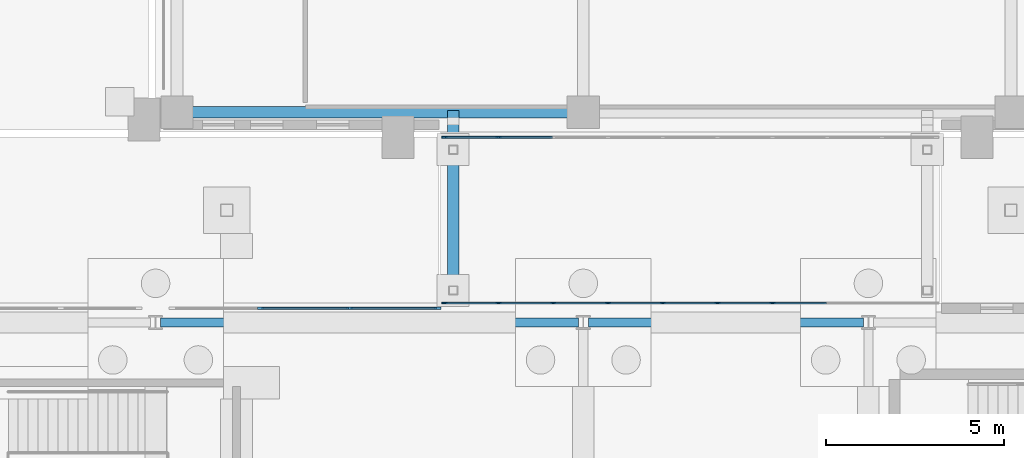
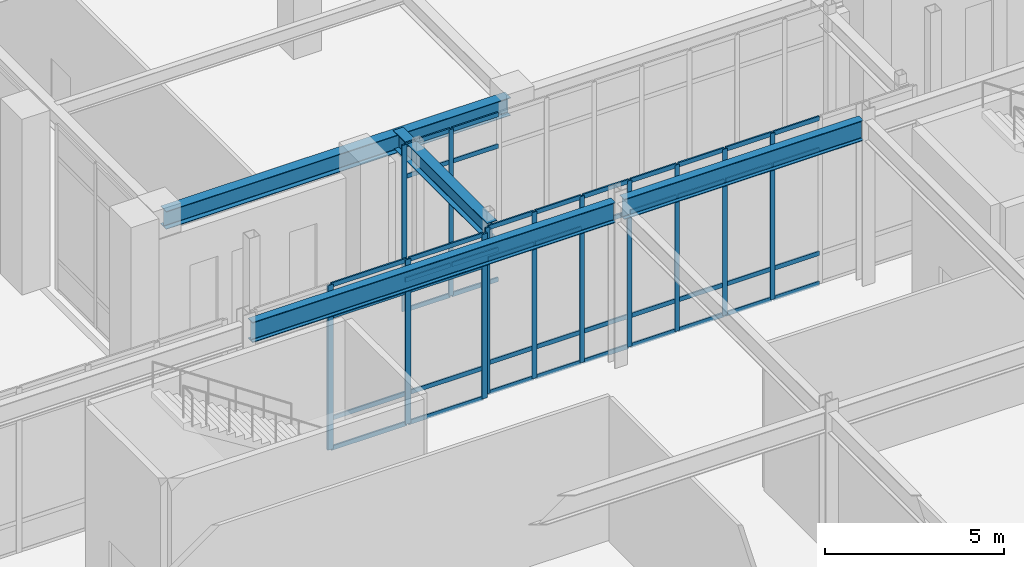
# One storey, part 71 of 143: 56 members, 4 beams, 3 elements without a shape of their own.
"""IFC4 building model written with IfcOpenShell, lengths in metres."""

from ifc_helpers import new_model, si_unit, derived_unit, direction, frame, origin, origin_2d, place, context, subcontext, project, spatial, rectangle, i_section, extrude, material, layer, layer_set, material_profile, profile_set, type_object, element, aggregate, save


model = new_model("IFC4")

# Units and contexts
model_context = context("Model", 3, precision=1e-05, world=origin(), true_north=direction((0.0, 1.0)))
body_context = subcontext(model_context, "Body", "Model", "MODEL_VIEW")
ifc_project = project(units=[si_unit("LENGTHUNIT", "METRE"), si_unit("AREAUNIT", "SQUARE_METRE"), si_unit("VOLUMEUNIT", "CUBIC_METRE"), si_unit("PLANEANGLEUNIT", "RADIAN"), si_unit("MASSUNIT", "GRAM", prefix="KILO"), derived_unit("THERMALTRANSMITTANCEUNIT", [(si_unit("MASSUNIT", "GRAM", prefix="KILO"), 1), (si_unit("TIMEUNIT", "SECOND"), -3), (si_unit("THERMODYNAMICTEMPERATUREUNIT", "KELVIN"), -1)])], contexts=[model_context])

# Site, building, storey
site_placement = place(None, origin())
site = spatial("IfcSite", under=ifc_project, at=site_placement, CompositionType="ELEMENT")
building_placement = place(site_placement, origin())
building = spatial("IfcBuilding", under=site, at=building_placement, Name="Valcora Ridge Arena", CompositionType="ELEMENT")
storey_placement = place(building_placement, origin())
storey = spatial("IfcBuildingStorey", under=building, at=storey_placement, Name="L00", CompositionType="ELEMENT", Elevation=0.0)

# Beams
ifc_material_1 = material(Name="Steel ASTM A572 Grade 50", Category="steel")
ifc_material_profile_1 = material_profile(ifc_material_1, i_section(OverallWidth=0.324951171875, OverallDepth=0.612060546875, WebThickness=0.0126953125, FlangeThickness=0.01904296875, FilletRadius=0.01806640625, at=origin_2d()), Name="W24X104")
ifc_profile_set_1 = profile_set([ifc_material_profile_1], Name="Steel ASTM A572 Grade 50")
beam_type_1 = type_object("IfcBeamType", Name="TY-BEAM-B-SJ1", PredefinedType="BEAM", material=ifc_profile_set_1)
beam_1_placement = place(storey_placement, frame((164.35009765625, 78.5, 5.3740234375), z_axis=(0.0, 1.0, 0.0), x_axis=(-1.0, 0.0, 0.0)))
element("IfcBeam", 1, at=beam_1_placement, inside=storey, type_object=beam_type_1, Name="B-SJ1 BEM-SJ-B-SJ1-0005", PredefinedType="BEAM", context=body_context, shape_type="SweptSolid", body=[
    extrude(i_section(OverallWidth=0.324951171875, OverallDepth=0.612060546875, WebThickness=0.0126953125, FlangeThickness=0.01904296875, FilletRadius=0.01806640625, at=origin_2d()), origin(), (0.0, 0.0, 1.0), 5.25),
])
ifc_material_profile_2 = material_profile(ifc_material_1, i_section(OverallWidth=0.324951171875, OverallDepth=0.612060546875, WebThickness=0.0126953125, FlangeThickness=0.01904296875, FilletRadius=0.01806640625, at=origin_2d()), Name="W24X104")
ifc_profile_set_2 = profile_set([ifc_material_profile_2], Name="Steel ASTM A572 Grade 50")
beam_type_2 = type_object("IfcBeamType", Name="TY-BEAM-SP-W24X104", PredefinedType="SPANDREL", material=ifc_profile_set_2)
beam_2_placement = place(storey_placement, frame((156.739990234375, 83.699951171875, 5.333984375), z_axis=(1.0, 0.0, 0.0), x_axis=(0.0, 1.0, 0.0)))
element("IfcBeam", 2, at=beam_2_placement, inside=storey, type_object=beam_type_2, Name="SP-W24X104 BEM-SP-W24X104-0001", PredefinedType="SPANDREL", context=body_context, shape_type="SweptSolid", body=[
    extrude(i_section(OverallWidth=0.324951171875, OverallDepth=0.612060546875, WebThickness=0.0126953125, FlangeThickness=0.01904296875, FilletRadius=0.01806640625, at=origin_2d()), origin(), (0.0, 0.0, 1.0), 11.1201171875),
])
ifc_material_profile_3 = material_profile(ifc_material_1, i_section(OverallWidth=0.256103515625, OverallDepth=0.693115234375, WebThickness=0.014404296875, FlangeThickness=0.023681640625, FilletRadius=0.02001953125, at=origin_2d()), Name="W27X114")
ifc_profile_set_3 = profile_set([ifc_material_profile_3], Name="Steel ASTM A572 Grade 50")
beam_type_3 = type_object("IfcBeamType", Name="TY-BEAM-SP-W27X114", PredefinedType="SPANDREL", material=ifc_profile_set_3)
beam_3_placement = place(storey_placement, frame((156.139892578125, 77.800048828125, 5.2734375), z_axis=(1.0, 0.0, 0.0), x_axis=(0.0, 1.0, 0.0)))
element("IfcBeam", 3, at=beam_3_placement, inside=storey, type_object=beam_type_3, Name="SP-W27X114 BEM-SP-W27X114-0008", PredefinedType="SPANDREL", context=body_context, shape_type="SweptSolid", body=[
    extrude(i_section(OverallWidth=0.256103515625, OverallDepth=0.693115234375, WebThickness=0.014404296875, FlangeThickness=0.023681640625, FilletRadius=0.02001953125, at=origin_2d()), origin(), (0.0, 0.0, 1.0), 11.72021484375),
])
beam_4_placement = place(storey_placement, frame((168.139892578125, 77.800048828125, 5.2734375), z_axis=(1.0, 0.0, 0.0), x_axis=(0.0, 1.0, 0.0)))
element("IfcBeam", 4, at=beam_4_placement, inside=storey, type_object=beam_type_3, Name="SP-W27X114 BEM-SP-W27X114-0009", PredefinedType="SPANDREL", context=body_context, shape_type="SweptSolid", body=[
    extrude(i_section(OverallWidth=0.256103515625, OverallDepth=0.693115234375, WebThickness=0.014404296875, FlangeThickness=0.023681640625, FilletRadius=0.02001953125, at=origin_2d()), origin(), (0.0, 0.0, 1.0), 7.72021484375),
])

# Curtain wall, members
ifc_material_2 = material(Name="Anodised dark bronze architectural aluminium 6063-T6", Category="aluminium")
ifc_layer_1 = layer(ifc_material_2, 0.14990234375, Name="Anodised dark bronze architectural aluminium 6063-T6")
ifc_layer_set_1 = layer_set([ifc_layer_1], Name="Anodised dark bronze architectural aluminium 6063-T6")
curtain_wall_type_1 = type_object("IfcCurtainWallType", Name="TY-CURTAINWALL-CW-BRG-138X57", PredefinedType="NOTDEFINED", material=ifc_layer_set_1)
curtain_wall_1_placement = place(storey_placement, origin())
curtain_wall_1 = element("IfcCurtainWall", 5, at=curtain_wall_1_placement, inside=storey, type_object=curtain_wall_type_1, Name="CW-BRG-138X57 CW-0354", PredefinedType="NOTDEFINED")
ifc_material_profile_4 = material_profile(ifc_material_2, rectangle(XDim=0.050048828125, YDim=0.14990234375, at=origin_2d()), Name="ALU MULLION 50x150")
ifc_profile_set_4 = profile_set([ifc_material_profile_4], Name="Anodised dark bronze architectural aluminium 6063-T6")
member_type_1 = type_object("IfcMemberType", Name="TY-MEM-CWM-50x150", PredefinedType="MULLION", material=ifc_profile_set_4)
member_1_placement = place(storey_placement, frame((164.10498046875, 78.35009765625, 0.0), z_axis=(0.0, 0.0, 1.0), x_axis=(0.0, 1.0, 0.0)))
member_1 = element("IfcMember", 6, at=member_1_placement, type_object=member_type_1, Name="CW-0354/CWM-50x150/M00", PredefinedType="MULLION", context=body_context, shape_type="SweptSolid", body=[
    extrude(rectangle(XDim=0.050048828125, YDim=0.14990234375, at=origin_2d()), origin(), (0.0, 0.0, 1.0), 5.679931640625),
])
member_2_placement = place(storey_placement, frame((165.617919921875, 78.35009765625, 0.0), z_axis=(0.0, 0.0, 1.0), x_axis=(0.0, 1.0, 0.0)))
member_2 = element("IfcMember", 7, at=member_2_placement, type_object=member_type_1, Name="CW-0354/CWM-50x150/M01", PredefinedType="MULLION", context=body_context, shape_type="SweptSolid", body=[
    extrude(rectangle(XDim=0.050048828125, YDim=0.14990234375, at=origin_2d()), origin(), (0.0, 0.0, 1.0), 5.679931640625),
])
member_3_placement = place(storey_placement, frame((167.155517578125, 78.35009765625, 0.0), z_axis=(0.0, 0.0, 1.0), x_axis=(0.0, 1.0, 0.0)))
member_3 = element("IfcMember", 8, at=member_3_placement, type_object=member_type_1, Name="CW-0354/CWM-50x150/M02", PredefinedType="MULLION", context=body_context, shape_type="SweptSolid", body=[
    extrude(rectangle(XDim=0.050048828125, YDim=0.14990234375, at=origin_2d()), origin(), (0.0, 0.0, 1.0), 5.679931640625),
])
member_4_placement = place(storey_placement, frame((168.693359375, 78.35009765625, 0.0), z_axis=(0.0, 0.0, 1.0), x_axis=(0.0, 1.0, 0.0)))
member_4 = element("IfcMember", 9, at=member_4_placement, type_object=member_type_1, Name="CW-0354/CWM-50x150/M03", PredefinedType="MULLION", context=body_context, shape_type="SweptSolid", body=[
    extrude(rectangle(XDim=0.050048828125, YDim=0.14990234375, at=origin_2d()), origin(), (0.0, 0.0, 1.0), 5.679931640625),
])
member_5_placement = place(storey_placement, frame((170.231201171875, 78.35009765625, 0.0), z_axis=(0.0, 0.0, 1.0), x_axis=(0.0, 1.0, 0.0)))
member_5 = element("IfcMember", 10, at=member_5_placement, type_object=member_type_1, Name="CW-0354/CWM-50x150/M04", PredefinedType="MULLION", context=body_context, shape_type="SweptSolid", body=[
    extrude(rectangle(XDim=0.050048828125, YDim=0.14990234375, at=origin_2d()), origin(), (0.0, 0.0, 1.0), 5.679931640625),
])
member_6_placement = place(storey_placement, frame((171.768798828125, 78.35009765625, 0.0), z_axis=(0.0, 0.0, 1.0), x_axis=(0.0, 1.0, 0.0)))
member_6 = element("IfcMember", 11, at=member_6_placement, type_object=member_type_1, Name="CW-0354/CWM-50x150/M05", PredefinedType="MULLION", context=body_context, shape_type="SweptSolid", body=[
    extrude(rectangle(XDim=0.050048828125, YDim=0.14990234375, at=origin_2d()), origin(), (0.0, 0.0, 1.0), 5.679931640625),
])
member_7_placement = place(storey_placement, frame((173.306640625, 78.35009765625, 0.0), z_axis=(0.0, 0.0, 1.0), x_axis=(0.0, 1.0, 0.0)))
member_7 = element("IfcMember", 12, at=member_7_placement, type_object=member_type_1, Name="CW-0354/CWM-50x150/M06", PredefinedType="MULLION", context=body_context, shape_type="SweptSolid", body=[
    extrude(rectangle(XDim=0.050048828125, YDim=0.14990234375, at=origin_2d()), origin(), (0.0, 0.0, 1.0), 5.679931640625),
])

curtain_wall_2_placement = place(storey_placement, origin())
curtain_wall_2 = element("IfcCurtainWall", 13, at=curtain_wall_2_placement, inside=storey, type_object=curtain_wall_type_1, Name="CW-BRG-138X57 CW-0355", PredefinedType="NOTDEFINED")
member_8_placement = place(storey_placement, frame((164.10498046875, 83.0, 0.0), z_axis=(0.0, 0.0, 1.0), x_axis=(0.0, 1.0, 0.0)))
member_8 = element("IfcMember", 14, at=member_8_placement, type_object=member_type_1, Name="CW-0355/CWM-50x150/M00", PredefinedType="MULLION", context=body_context, shape_type="SweptSolid", body=[
    extrude(rectangle(XDim=0.050048828125, YDim=0.14990234375, at=origin_2d()), origin(), (0.0, 0.0, 1.0), 5.679931640625),
])
member_9_placement = place(storey_placement, frame((165.617919921875, 83.0, 0.0), z_axis=(0.0, 0.0, 1.0), x_axis=(0.0, 1.0, 0.0)))
member_9 = element("IfcMember", 15, at=member_9_placement, type_object=member_type_1, Name="CW-0355/CWM-50x150/M01", PredefinedType="MULLION", context=body_context, shape_type="SweptSolid", body=[
    extrude(rectangle(XDim=0.050048828125, YDim=0.14990234375, at=origin_2d()), origin(), (0.0, 0.0, 1.0), 5.679931640625),
])

ifc_layer_2 = layer(ifc_material_2, 0.179931640625, Name="Anodised dark bronze architectural aluminium 6063-T6")
ifc_layer_set_2 = layer_set([ifc_layer_2], Name="Anodised dark bronze architectural aluminium 6063-T6")
curtain_wall_type_2 = type_object("IfcCurtainWallType", Name="TY-CURTAINWALL-CW-V2-GLAZ-075X56", PredefinedType="NOTDEFINED", material=ifc_layer_set_2)
curtain_wall_3_placement = place(storey_placement, origin())
curtain_wall_3 = element("IfcCurtainWall", 16, at=curtain_wall_3_placement, inside=storey, type_object=curtain_wall_type_2, Name="CW-V2-GLAZ-075X56 CW-0038", PredefinedType="NOTDEFINED")
ifc_material_profile_5 = material_profile(ifc_material_2, rectangle(XDim=0.06005859375, YDim=0.179931640625, at=origin_2d()), Name="ALU MULLION 60x180")
ifc_profile_set_5 = profile_set([ifc_material_profile_5], Name="Anodised dark bronze architectural aluminium 6063-T6")
member_type_2 = type_object("IfcMemberType", Name="TY-MEM-CWM-60x180", PredefinedType="MULLION", material=ifc_profile_set_5)
member_10_placement = place(storey_placement, frame((158.943115234375, 78.199951171875, 0.0), z_axis=(0.0, 0.0, 1.0), x_axis=(0.0, 1.0, 0.0)))
member_10 = element("IfcMember", 17, at=member_10_placement, type_object=member_type_2, Name="CW-0038/CWM-60x180/M01", PredefinedType="MULLION", context=body_context, shape_type="SweptSolid", body=[
    extrude(rectangle(XDim=0.06005859375, YDim=0.179931640625, at=origin_2d()), origin(), (0.0, 0.0, 1.0), 5.6201171875),
])
member_11_placement = place(storey_placement, frame((161.446533203125, 78.199951171875, 0.0), z_axis=(0.0, 0.0, 1.0), x_axis=(0.0, 1.0, 0.0)))
member_11 = element("IfcMember", 18, at=member_11_placement, type_object=member_type_2, Name="CW-0038/CWM-60x180/M02", PredefinedType="MULLION", context=body_context, shape_type="SweptSolid", body=[
    extrude(rectangle(XDim=0.06005859375, YDim=0.179931640625, at=origin_2d()), origin(), (0.0, 0.0, 1.0), 5.6201171875),
])
member_12_placement = place(storey_placement, frame((163.919921875, 78.199951171875, 0.0), z_axis=(0.0, 0.0, 1.0), x_axis=(0.0, 1.0, 0.0)))
member_12 = element("IfcMember", 19, at=member_12_placement, type_object=member_type_2, Name="CW-0038/CWM-60x180/M03", PredefinedType="MULLION", context=body_context, shape_type="SweptSolid", body=[
    extrude(rectangle(XDim=0.06005859375, YDim=0.179931640625, at=origin_2d()), origin(), (0.0, 0.0, 1.0), 5.6201171875),
])
ifc_material_profile_6 = material_profile(ifc_material_2, rectangle(XDim=0.050048828125, YDim=0.14990234375, at=origin_2d()), Name="ALU TRANSOM 50x150")
ifc_profile_set_6 = profile_set([ifc_material_profile_6], Name="Anodised dark bronze architectural aluminium 6063-T6")
member_type_3 = type_object("IfcMemberType", Name="TY-MEM-CWT-50x150", PredefinedType="USERDEFINED", material=ifc_profile_set_6)
member_13_placement = place(storey_placement, frame((158.973388671875, 78.199951171875, 0.02490234375), z_axis=(1.0, 0.0, 0.0), x_axis=(0.0, 1.0, 0.0)))
member_13 = element("IfcMember", 20, at=member_13_placement, type_object=member_type_3, Name="CW-0038/CWT-50x150/T01-00", ObjectType="TRANSOM", PredefinedType="USERDEFINED", context=body_context, shape_type="SweptSolid", body=[
    extrude(rectangle(XDim=0.050048828125, YDim=0.14990234375, at=origin_2d()), origin(), (0.0, 0.0, 1.0), 2.443115234375),
])
member_14_placement = place(storey_placement, frame((158.973388671875, 78.199951171875, 1.050048828125), z_axis=(1.0, 0.0, 0.0), x_axis=(0.0, 1.0, 0.0)))
member_14 = element("IfcMember", 21, at=member_14_placement, type_object=member_type_3, Name="CW-0038/CWT-50x150/T01-01", ObjectType="TRANSOM", PredefinedType="USERDEFINED", context=body_context, shape_type="SweptSolid", body=[
    extrude(rectangle(XDim=0.050048828125, YDim=0.14990234375, at=origin_2d()), origin(), (0.0, 0.0, 1.0), 2.443115234375),
])
member_15_placement = place(storey_placement, frame((158.973388671875, 78.199951171875, 4.52001953125), z_axis=(1.0, 0.0, 0.0), x_axis=(0.0, 1.0, 0.0)))
member_15 = element("IfcMember", 22, at=member_15_placement, type_object=member_type_3, Name="CW-0038/CWT-50x150/T01-02", ObjectType="TRANSOM", PredefinedType="USERDEFINED", context=body_context, shape_type="SweptSolid", body=[
    extrude(rectangle(XDim=0.050048828125, YDim=0.14990234375, at=origin_2d()), origin(), (0.0, 0.0, 1.0), 2.443115234375),
])
member_16_placement = place(storey_placement, frame((158.973388671875, 78.199951171875, 5.594970703125), z_axis=(1.0, 0.0, 0.0), x_axis=(0.0, 1.0, 0.0)))
member_16 = element("IfcMember", 23, at=member_16_placement, type_object=member_type_3, Name="CW-0038/CWT-50x150/T01-03", ObjectType="TRANSOM", PredefinedType="USERDEFINED", context=body_context, shape_type="SweptSolid", body=[
    extrude(rectangle(XDim=0.050048828125, YDim=0.14990234375, at=origin_2d()), origin(), (0.0, 0.0, 1.0), 2.443115234375),
])
member_17_placement = place(storey_placement, frame((161.4765625, 78.199951171875, 0.02490234375), z_axis=(1.0, 0.0, 0.0), x_axis=(0.0, 1.0, 0.0)))
member_17 = element("IfcMember", 24, at=member_17_placement, type_object=member_type_3, Name="CW-0038/CWT-50x150/T02-00", ObjectType="TRANSOM", PredefinedType="USERDEFINED", context=body_context, shape_type="SweptSolid", body=[
    extrude(rectangle(XDim=0.050048828125, YDim=0.14990234375, at=origin_2d()), origin(), (0.0, 0.0, 1.0), 2.412841796875),
])
member_18_placement = place(storey_placement, frame((161.4765625, 78.199951171875, 1.050048828125), z_axis=(1.0, 0.0, 0.0), x_axis=(0.0, 1.0, 0.0)))
member_18 = element("IfcMember", 25, at=member_18_placement, type_object=member_type_3, Name="CW-0038/CWT-50x150/T02-01", ObjectType="TRANSOM", PredefinedType="USERDEFINED", context=body_context, shape_type="SweptSolid", body=[
    extrude(rectangle(XDim=0.050048828125, YDim=0.14990234375, at=origin_2d()), origin(), (0.0, 0.0, 1.0), 2.412841796875),
])
member_19_placement = place(storey_placement, frame((161.4765625, 78.199951171875, 4.52001953125), z_axis=(1.0, 0.0, 0.0), x_axis=(0.0, 1.0, 0.0)))
member_19 = element("IfcMember", 26, at=member_19_placement, type_object=member_type_3, Name="CW-0038/CWT-50x150/T02-02", ObjectType="TRANSOM", PredefinedType="USERDEFINED", context=body_context, shape_type="SweptSolid", body=[
    extrude(rectangle(XDim=0.050048828125, YDim=0.14990234375, at=origin_2d()), origin(), (0.0, 0.0, 1.0), 2.412841796875),
])
member_20_placement = place(storey_placement, frame((161.4765625, 78.199951171875, 5.594970703125), z_axis=(1.0, 0.0, 0.0), x_axis=(0.0, 1.0, 0.0)))
member_20 = element("IfcMember", 27, at=member_20_placement, type_object=member_type_3, Name="CW-0038/CWT-50x150/T02-03", ObjectType="TRANSOM", PredefinedType="USERDEFINED", context=body_context, shape_type="SweptSolid", body=[
    extrude(rectangle(XDim=0.050048828125, YDim=0.14990234375, at=origin_2d()), origin(), (0.0, 0.0, 1.0), 2.412841796875),
])
aggregate(curtain_wall_3, [member_10, member_11, member_12, member_13, member_14, member_15, member_16, member_17, member_18, member_19, member_20])

# Member
member_21_placement = place(storey_placement, frame((164.1298828125, 78.35009765625, 0.02490234375), z_axis=(1.0, 0.0, 0.0), x_axis=(0.0, 1.0, 0.0)))
member_21 = element("IfcMember", 28, at=member_21_placement, type_object=member_type_3, Name="CW-0354/CWT-50x150/T00-00", ObjectType="TRANSOM", PredefinedType="USERDEFINED", context=body_context, shape_type="SweptSolid", body=[
    extrude(rectangle(XDim=0.050048828125, YDim=0.14990234375, at=origin_2d()), origin(), (0.0, 0.0, 1.0), 1.463134765625),
])

member_22_placement = place(storey_placement, frame((164.1298828125, 78.35009765625, 1.050048828125), z_axis=(1.0, 0.0, 0.0), x_axis=(0.0, 1.0, 0.0)))
member_22 = element("IfcMember", 29, at=member_22_placement, type_object=member_type_3, Name="CW-0354/CWT-50x150/T00-01", ObjectType="TRANSOM", PredefinedType="USERDEFINED", context=body_context, shape_type="SweptSolid", body=[
    extrude(rectangle(XDim=0.050048828125, YDim=0.14990234375, at=origin_2d()), origin(), (0.0, 0.0, 1.0), 1.463134765625),
])

member_23_placement = place(storey_placement, frame((164.1298828125, 78.35009765625, 4.580078125), z_axis=(1.0, 0.0, 0.0), x_axis=(0.0, 1.0, 0.0)))
member_23 = element("IfcMember", 30, at=member_23_placement, type_object=member_type_3, Name="CW-0354/CWT-50x150/T00-02", ObjectType="TRANSOM", PredefinedType="USERDEFINED", context=body_context, shape_type="SweptSolid", body=[
    extrude(rectangle(XDim=0.050048828125, YDim=0.14990234375, at=origin_2d()), origin(), (0.0, 0.0, 1.0), 1.463134765625),
])

member_24_placement = place(storey_placement, frame((164.1298828125, 78.35009765625, 5.655029296875), z_axis=(1.0, 0.0, 0.0), x_axis=(0.0, 1.0, 0.0)))
member_24 = element("IfcMember", 31, at=member_24_placement, type_object=member_type_3, Name="CW-0354/CWT-50x150/T00-03", ObjectType="TRANSOM", PredefinedType="USERDEFINED", context=body_context, shape_type="SweptSolid", body=[
    extrude(rectangle(XDim=0.050048828125, YDim=0.14990234375, at=origin_2d()), origin(), (0.0, 0.0, 1.0), 1.463134765625),
])

member_25_placement = place(storey_placement, frame((165.64306640625, 78.35009765625, 0.02490234375), z_axis=(1.0, 0.0, 0.0), x_axis=(0.0, 1.0, 0.0)))
member_25 = element("IfcMember", 32, at=member_25_placement, type_object=member_type_3, Name="CW-0354/CWT-50x150/T01-00", ObjectType="TRANSOM", PredefinedType="USERDEFINED", context=body_context, shape_type="SweptSolid", body=[
    extrude(rectangle(XDim=0.050048828125, YDim=0.14990234375, at=origin_2d()), origin(), (0.0, 0.0, 1.0), 1.488037109375),
])

member_26_placement = place(storey_placement, frame((165.64306640625, 78.35009765625, 1.050048828125), z_axis=(1.0, 0.0, 0.0), x_axis=(0.0, 1.0, 0.0)))
member_26 = element("IfcMember", 33, at=member_26_placement, type_object=member_type_3, Name="CW-0354/CWT-50x150/T01-01", ObjectType="TRANSOM", PredefinedType="USERDEFINED", context=body_context, shape_type="SweptSolid", body=[
    extrude(rectangle(XDim=0.050048828125, YDim=0.14990234375, at=origin_2d()), origin(), (0.0, 0.0, 1.0), 1.488037109375),
])

member_27_placement = place(storey_placement, frame((165.64306640625, 78.35009765625, 4.580078125), z_axis=(1.0, 0.0, 0.0), x_axis=(0.0, 1.0, 0.0)))
member_27 = element("IfcMember", 34, at=member_27_placement, type_object=member_type_3, Name="CW-0354/CWT-50x150/T01-02", ObjectType="TRANSOM", PredefinedType="USERDEFINED", context=body_context, shape_type="SweptSolid", body=[
    extrude(rectangle(XDim=0.050048828125, YDim=0.14990234375, at=origin_2d()), origin(), (0.0, 0.0, 1.0), 1.488037109375),
])

member_28_placement = place(storey_placement, frame((165.64306640625, 78.35009765625, 5.655029296875), z_axis=(1.0, 0.0, 0.0), x_axis=(0.0, 1.0, 0.0)))
member_28 = element("IfcMember", 35, at=member_28_placement, type_object=member_type_3, Name="CW-0354/CWT-50x150/T01-03", ObjectType="TRANSOM", PredefinedType="USERDEFINED", context=body_context, shape_type="SweptSolid", body=[
    extrude(rectangle(XDim=0.050048828125, YDim=0.14990234375, at=origin_2d()), origin(), (0.0, 0.0, 1.0), 1.488037109375),
])

member_29_placement = place(storey_placement, frame((167.180908203125, 78.35009765625, 0.02490234375), z_axis=(1.0, 0.0, 0.0), x_axis=(0.0, 1.0, 0.0)))
member_29 = element("IfcMember", 36, at=member_29_placement, type_object=member_type_3, Name="CW-0354/CWT-50x150/T02-00", ObjectType="TRANSOM", PredefinedType="USERDEFINED", context=body_context, shape_type="SweptSolid", body=[
    extrude(rectangle(XDim=0.050048828125, YDim=0.14990234375, at=origin_2d()), origin(), (0.0, 0.0, 1.0), 1.487060546875),
])

member_30_placement = place(storey_placement, frame((167.180908203125, 78.35009765625, 1.050048828125), z_axis=(1.0, 0.0, 0.0), x_axis=(0.0, 1.0, 0.0)))
member_30 = element("IfcMember", 37, at=member_30_placement, type_object=member_type_3, Name="CW-0354/CWT-50x150/T02-01", ObjectType="TRANSOM", PredefinedType="USERDEFINED", context=body_context, shape_type="SweptSolid", body=[
    extrude(rectangle(XDim=0.050048828125, YDim=0.14990234375, at=origin_2d()), origin(), (0.0, 0.0, 1.0), 1.487060546875),
])

member_31_placement = place(storey_placement, frame((167.180908203125, 78.35009765625, 4.580078125), z_axis=(1.0, 0.0, 0.0), x_axis=(0.0, 1.0, 0.0)))
member_31 = element("IfcMember", 38, at=member_31_placement, type_object=member_type_3, Name="CW-0354/CWT-50x150/T02-02", ObjectType="TRANSOM", PredefinedType="USERDEFINED", context=body_context, shape_type="SweptSolid", body=[
    extrude(rectangle(XDim=0.050048828125, YDim=0.14990234375, at=origin_2d()), origin(), (0.0, 0.0, 1.0), 1.487060546875),
])

member_32_placement = place(storey_placement, frame((167.180908203125, 78.35009765625, 5.655029296875), z_axis=(1.0, 0.0, 0.0), x_axis=(0.0, 1.0, 0.0)))
member_32 = element("IfcMember", 39, at=member_32_placement, type_object=member_type_3, Name="CW-0354/CWT-50x150/T02-03", ObjectType="TRANSOM", PredefinedType="USERDEFINED", context=body_context, shape_type="SweptSolid", body=[
    extrude(rectangle(XDim=0.050048828125, YDim=0.14990234375, at=origin_2d()), origin(), (0.0, 0.0, 1.0), 1.487060546875),
])

member_33_placement = place(storey_placement, frame((168.718017578125, 78.35009765625, 0.02490234375), z_axis=(1.0, 0.0, 0.0), x_axis=(0.0, 1.0, 0.0)))
member_33 = element("IfcMember", 40, at=member_33_placement, type_object=member_type_3, Name="CW-0354/CWT-50x150/T03-00", ObjectType="TRANSOM", PredefinedType="USERDEFINED", context=body_context, shape_type="SweptSolid", body=[
    extrude(rectangle(XDim=0.050048828125, YDim=0.14990234375, at=origin_2d()), origin(), (0.0, 0.0, 1.0), 1.488037109375),
])

member_34_placement = place(storey_placement, frame((168.718017578125, 78.35009765625, 1.050048828125), z_axis=(1.0, 0.0, 0.0), x_axis=(0.0, 1.0, 0.0)))
member_34 = element("IfcMember", 41, at=member_34_placement, type_object=member_type_3, Name="CW-0354/CWT-50x150/T03-01", ObjectType="TRANSOM", PredefinedType="USERDEFINED", context=body_context, shape_type="SweptSolid", body=[
    extrude(rectangle(XDim=0.050048828125, YDim=0.14990234375, at=origin_2d()), origin(), (0.0, 0.0, 1.0), 1.488037109375),
])

member_35_placement = place(storey_placement, frame((168.718017578125, 78.35009765625, 4.580078125), z_axis=(1.0, 0.0, 0.0), x_axis=(0.0, 1.0, 0.0)))
member_35 = element("IfcMember", 42, at=member_35_placement, type_object=member_type_3, Name="CW-0354/CWT-50x150/T03-02", ObjectType="TRANSOM", PredefinedType="USERDEFINED", context=body_context, shape_type="SweptSolid", body=[
    extrude(rectangle(XDim=0.050048828125, YDim=0.14990234375, at=origin_2d()), origin(), (0.0, 0.0, 1.0), 1.488037109375),
])

member_36_placement = place(storey_placement, frame((168.718017578125, 78.35009765625, 5.655029296875), z_axis=(1.0, 0.0, 0.0), x_axis=(0.0, 1.0, 0.0)))
member_36 = element("IfcMember", 43, at=member_36_placement, type_object=member_type_3, Name="CW-0354/CWT-50x150/T03-03", ObjectType="TRANSOM", PredefinedType="USERDEFINED", context=body_context, shape_type="SweptSolid", body=[
    extrude(rectangle(XDim=0.050048828125, YDim=0.14990234375, at=origin_2d()), origin(), (0.0, 0.0, 1.0), 1.488037109375),
])

member_37_placement = place(storey_placement, frame((170.256103515625, 78.35009765625, 0.02490234375), z_axis=(1.0, 0.0, 0.0), x_axis=(0.0, 1.0, 0.0)))
member_37 = element("IfcMember", 44, at=member_37_placement, type_object=member_type_3, Name="CW-0354/CWT-50x150/T04-00", ObjectType="TRANSOM", PredefinedType="USERDEFINED", context=body_context, shape_type="SweptSolid", body=[
    extrude(rectangle(XDim=0.050048828125, YDim=0.14990234375, at=origin_2d()), origin(), (0.0, 0.0, 1.0), 1.48779296875),
])

member_38_placement = place(storey_placement, frame((170.256103515625, 78.35009765625, 1.050048828125), z_axis=(1.0, 0.0, 0.0), x_axis=(0.0, 1.0, 0.0)))
member_38 = element("IfcMember", 45, at=member_38_placement, type_object=member_type_3, Name="CW-0354/CWT-50x150/T04-01", ObjectType="TRANSOM", PredefinedType="USERDEFINED", context=body_context, shape_type="SweptSolid", body=[
    extrude(rectangle(XDim=0.050048828125, YDim=0.14990234375, at=origin_2d()), origin(), (0.0, 0.0, 1.0), 1.48779296875),
])

member_39_placement = place(storey_placement, frame((170.256103515625, 78.35009765625, 4.580078125), z_axis=(1.0, 0.0, 0.0), x_axis=(0.0, 1.0, 0.0)))
member_39 = element("IfcMember", 46, at=member_39_placement, type_object=member_type_3, Name="CW-0354/CWT-50x150/T04-02", ObjectType="TRANSOM", PredefinedType="USERDEFINED", context=body_context, shape_type="SweptSolid", body=[
    extrude(rectangle(XDim=0.050048828125, YDim=0.14990234375, at=origin_2d()), origin(), (0.0, 0.0, 1.0), 1.48779296875),
])

member_40_placement = place(storey_placement, frame((170.256103515625, 78.35009765625, 5.655029296875), z_axis=(1.0, 0.0, 0.0), x_axis=(0.0, 1.0, 0.0)))
member_40 = element("IfcMember", 47, at=member_40_placement, type_object=member_type_3, Name="CW-0354/CWT-50x150/T04-03", ObjectType="TRANSOM", PredefinedType="USERDEFINED", context=body_context, shape_type="SweptSolid", body=[
    extrude(rectangle(XDim=0.050048828125, YDim=0.14990234375, at=origin_2d()), origin(), (0.0, 0.0, 1.0), 1.48779296875),
])

member_41_placement = place(storey_placement, frame((171.7939453125, 78.35009765625, 0.02490234375), z_axis=(1.0, 0.0, 0.0), x_axis=(0.0, 1.0, 0.0)))
member_41 = element("IfcMember", 48, at=member_41_placement, type_object=member_type_3, Name="CW-0354/CWT-50x150/T05-00", ObjectType="TRANSOM", PredefinedType="USERDEFINED", context=body_context, shape_type="SweptSolid", body=[
    extrude(rectangle(XDim=0.050048828125, YDim=0.14990234375, at=origin_2d()), origin(), (0.0, 0.0, 1.0), 1.488037109375),
])

member_42_placement = place(storey_placement, frame((171.7939453125, 78.35009765625, 1.050048828125), z_axis=(1.0, 0.0, 0.0), x_axis=(0.0, 1.0, 0.0)))
member_42 = element("IfcMember", 49, at=member_42_placement, type_object=member_type_3, Name="CW-0354/CWT-50x150/T05-01", ObjectType="TRANSOM", PredefinedType="USERDEFINED", context=body_context, shape_type="SweptSolid", body=[
    extrude(rectangle(XDim=0.050048828125, YDim=0.14990234375, at=origin_2d()), origin(), (0.0, 0.0, 1.0), 1.488037109375),
])

member_43_placement = place(storey_placement, frame((171.7939453125, 78.35009765625, 4.580078125), z_axis=(1.0, 0.0, 0.0), x_axis=(0.0, 1.0, 0.0)))
member_43 = element("IfcMember", 50, at=member_43_placement, type_object=member_type_3, Name="CW-0354/CWT-50x150/T05-02", ObjectType="TRANSOM", PredefinedType="USERDEFINED", context=body_context, shape_type="SweptSolid", body=[
    extrude(rectangle(XDim=0.050048828125, YDim=0.14990234375, at=origin_2d()), origin(), (0.0, 0.0, 1.0), 1.488037109375),
])

member_44_placement = place(storey_placement, frame((171.7939453125, 78.35009765625, 5.655029296875), z_axis=(1.0, 0.0, 0.0), x_axis=(0.0, 1.0, 0.0)))
member_44 = element("IfcMember", 51, at=member_44_placement, type_object=member_type_3, Name="CW-0354/CWT-50x150/T05-03", ObjectType="TRANSOM", PredefinedType="USERDEFINED", context=body_context, shape_type="SweptSolid", body=[
    extrude(rectangle(XDim=0.050048828125, YDim=0.14990234375, at=origin_2d()), origin(), (0.0, 0.0, 1.0), 1.488037109375),
])

member_45_placement = place(storey_placement, frame((173.33203125, 78.35009765625, 0.02490234375), z_axis=(1.0, 0.0, 0.0), x_axis=(0.0, 1.0, 0.0)))
member_45 = element("IfcMember", 52, at=member_45_placement, type_object=member_type_3, Name="CW-0354/CWT-50x150/T06-00", ObjectType="TRANSOM", PredefinedType="USERDEFINED", context=body_context, shape_type="SweptSolid", body=[
    extrude(rectangle(XDim=0.050048828125, YDim=0.14990234375, at=origin_2d()), origin(), (0.0, 0.0, 1.0), 1.487060546875),
])

member_46_placement = place(storey_placement, frame((173.33203125, 78.35009765625, 1.050048828125), z_axis=(1.0, 0.0, 0.0), x_axis=(0.0, 1.0, 0.0)))
member_46 = element("IfcMember", 53, at=member_46_placement, type_object=member_type_3, Name="CW-0354/CWT-50x150/T06-01", ObjectType="TRANSOM", PredefinedType="USERDEFINED", context=body_context, shape_type="SweptSolid", body=[
    extrude(rectangle(XDim=0.050048828125, YDim=0.14990234375, at=origin_2d()), origin(), (0.0, 0.0, 1.0), 1.487060546875),
])

member_47_placement = place(storey_placement, frame((173.33203125, 78.35009765625, 4.580078125), z_axis=(1.0, 0.0, 0.0), x_axis=(0.0, 1.0, 0.0)))
member_47 = element("IfcMember", 54, at=member_47_placement, type_object=member_type_3, Name="CW-0354/CWT-50x150/T06-02", ObjectType="TRANSOM", PredefinedType="USERDEFINED", context=body_context, shape_type="SweptSolid", body=[
    extrude(rectangle(XDim=0.050048828125, YDim=0.14990234375, at=origin_2d()), origin(), (0.0, 0.0, 1.0), 1.487060546875),
])

member_48_placement = place(storey_placement, frame((173.33203125, 78.35009765625, 5.655029296875), z_axis=(1.0, 0.0, 0.0), x_axis=(0.0, 1.0, 0.0)))
member_48 = element("IfcMember", 55, at=member_48_placement, type_object=member_type_3, Name="CW-0354/CWT-50x150/T06-03", ObjectType="TRANSOM", PredefinedType="USERDEFINED", context=body_context, shape_type="SweptSolid", body=[
    extrude(rectangle(XDim=0.050048828125, YDim=0.14990234375, at=origin_2d()), origin(), (0.0, 0.0, 1.0), 1.487060546875),
])

aggregate(curtain_wall_1, [member_1, member_2, member_3, member_4, member_5, member_6, member_7, member_21, member_22, member_23, member_24, member_25, member_26, member_27, member_28, member_29, member_30, member_31, member_32, member_33, member_34, member_35, member_36, member_37, member_38, member_39, member_40, member_41, member_42, member_43, member_44, member_45, member_46, member_47, member_48])

member_49_placement = place(storey_placement, frame((164.1298828125, 83.0, 0.02490234375), z_axis=(1.0, 0.0, 0.0), x_axis=(0.0, 1.0, 0.0)))
member_49 = element("IfcMember", 56, at=member_49_placement, type_object=member_type_3, Name="CW-0355/CWT-50x150/T00-00", ObjectType="TRANSOM", PredefinedType="USERDEFINED", context=body_context, shape_type="SweptSolid", body=[
    extrude(rectangle(XDim=0.050048828125, YDim=0.14990234375, at=origin_2d()), origin(), (0.0, 0.0, 1.0), 1.463134765625),
])

member_50_placement = place(storey_placement, frame((164.1298828125, 83.0, 1.050048828125), z_axis=(1.0, 0.0, 0.0), x_axis=(0.0, 1.0, 0.0)))
member_50 = element("IfcMember", 57, at=member_50_placement, type_object=member_type_3, Name="CW-0355/CWT-50x150/T00-01", ObjectType="TRANSOM", PredefinedType="USERDEFINED", context=body_context, shape_type="SweptSolid", body=[
    extrude(rectangle(XDim=0.050048828125, YDim=0.14990234375, at=origin_2d()), origin(), (0.0, 0.0, 1.0), 1.463134765625),
])

member_51_placement = place(storey_placement, frame((164.1298828125, 83.0, 4.580078125), z_axis=(1.0, 0.0, 0.0), x_axis=(0.0, 1.0, 0.0)))
member_51 = element("IfcMember", 58, at=member_51_placement, type_object=member_type_3, Name="CW-0355/CWT-50x150/T00-02", ObjectType="TRANSOM", PredefinedType="USERDEFINED", context=body_context, shape_type="SweptSolid", body=[
    extrude(rectangle(XDim=0.050048828125, YDim=0.14990234375, at=origin_2d()), origin(), (0.0, 0.0, 1.0), 1.463134765625),
])

member_52_placement = place(storey_placement, frame((164.1298828125, 83.0, 5.655029296875), z_axis=(1.0, 0.0, 0.0), x_axis=(0.0, 1.0, 0.0)))
member_52 = element("IfcMember", 59, at=member_52_placement, type_object=member_type_3, Name="CW-0355/CWT-50x150/T00-03", ObjectType="TRANSOM", PredefinedType="USERDEFINED", context=body_context, shape_type="SweptSolid", body=[
    extrude(rectangle(XDim=0.050048828125, YDim=0.14990234375, at=origin_2d()), origin(), (0.0, 0.0, 1.0), 1.463134765625),
])

member_53_placement = place(storey_placement, frame((165.64306640625, 83.0, 0.02490234375), z_axis=(1.0, 0.0, 0.0), x_axis=(0.0, 1.0, 0.0)))
member_53 = element("IfcMember", 60, at=member_53_placement, type_object=member_type_3, Name="CW-0355/CWT-50x150/T01-00", ObjectType="TRANSOM", PredefinedType="USERDEFINED", context=body_context, shape_type="SweptSolid", body=[
    extrude(rectangle(XDim=0.050048828125, YDim=0.14990234375, at=origin_2d()), origin(), (0.0, 0.0, 1.0), 1.488037109375),
])

member_54_placement = place(storey_placement, frame((165.64306640625, 83.0, 1.050048828125), z_axis=(1.0, 0.0, 0.0), x_axis=(0.0, 1.0, 0.0)))
member_54 = element("IfcMember", 61, at=member_54_placement, type_object=member_type_3, Name="CW-0355/CWT-50x150/T01-01", ObjectType="TRANSOM", PredefinedType="USERDEFINED", context=body_context, shape_type="SweptSolid", body=[
    extrude(rectangle(XDim=0.050048828125, YDim=0.14990234375, at=origin_2d()), origin(), (0.0, 0.0, 1.0), 1.488037109375),
])

member_55_placement = place(storey_placement, frame((165.64306640625, 83.0, 4.580078125), z_axis=(1.0, 0.0, 0.0), x_axis=(0.0, 1.0, 0.0)))
member_55 = element("IfcMember", 62, at=member_55_placement, type_object=member_type_3, Name="CW-0355/CWT-50x150/T01-02", ObjectType="TRANSOM", PredefinedType="USERDEFINED", context=body_context, shape_type="SweptSolid", body=[
    extrude(rectangle(XDim=0.050048828125, YDim=0.14990234375, at=origin_2d()), origin(), (0.0, 0.0, 1.0), 1.488037109375),
])

member_56_placement = place(storey_placement, frame((165.64306640625, 83.0, 5.655029296875), z_axis=(1.0, 0.0, 0.0), x_axis=(0.0, 1.0, 0.0)))
member_56 = element("IfcMember", 63, at=member_56_placement, type_object=member_type_3, Name="CW-0355/CWT-50x150/T01-03", ObjectType="TRANSOM", PredefinedType="USERDEFINED", context=body_context, shape_type="SweptSolid", body=[
    extrude(rectangle(XDim=0.050048828125, YDim=0.14990234375, at=origin_2d()), origin(), (0.0, 0.0, 1.0), 1.488037109375),
])

aggregate(curtain_wall_2, [member_8, member_9, member_49, member_50, member_51, member_52, member_53, member_54, member_55, member_56])

save(model, "model.ifc")
